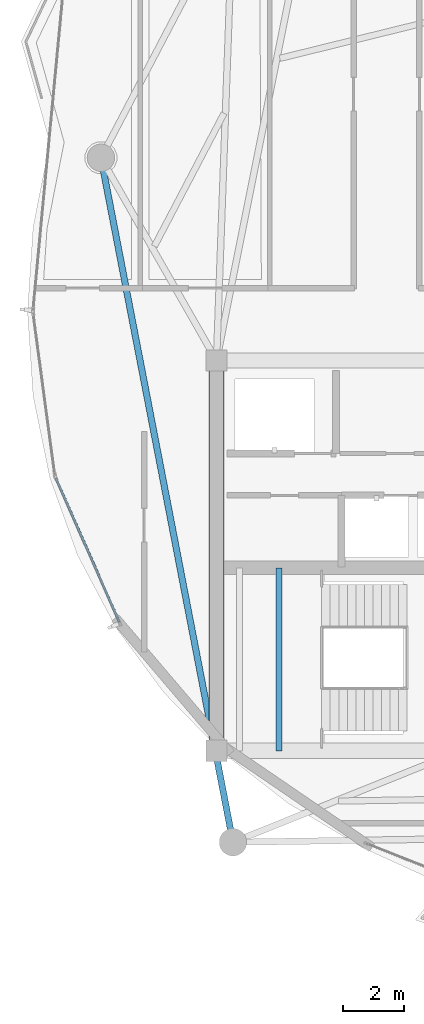
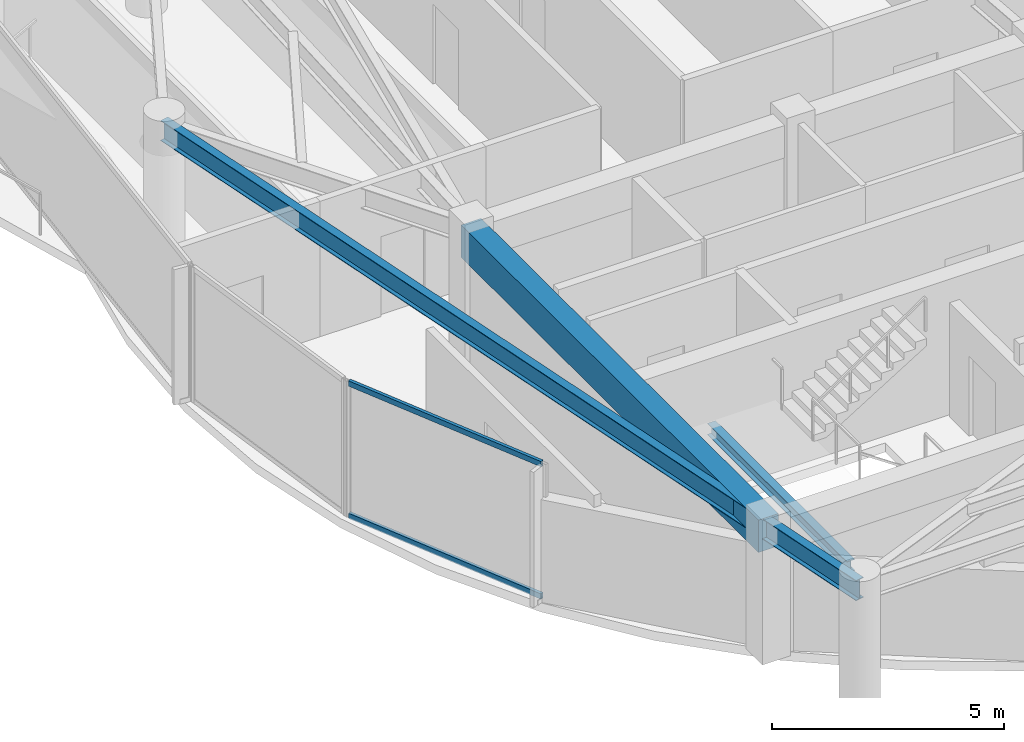
# One storey, part 3 of 22: 3 beams, 2 members, 1 element without a shape of its own.
"""IFC4 building model written with IfcOpenShell, lengths in metres."""

from ifc_helpers import new_model, si_unit, direction, frame, origin, origin_2d, place, context, subcontext, project, spatial, rectangle, hollow_rectangle, i_section, extrude, material, layer, layer_set, material_profile, profile_set, type_object, element, aggregate, save


model = new_model("IFC4")

# Units and contexts
model_context = context("Model", 3, precision=1e-05, world=origin(), true_north=direction((0.0, 1.0)))
body_context = subcontext(model_context, "Body", "Model", "MODEL_VIEW")
ifc_project = project(units=[si_unit("LENGTHUNIT", "METRE"), si_unit("AREAUNIT", "SQUARE_METRE"), si_unit("VOLUMEUNIT", "CUBIC_METRE"), si_unit("PLANEANGLEUNIT", "RADIAN"), si_unit("MASSUNIT", "GRAM", prefix="KILO")], contexts=[model_context])

# Site, building, storey
site_placement = place(None, origin())
site = spatial("IfcSite", under=ifc_project, at=site_placement, CompositionType="ELEMENT")
building_placement = place(site_placement, origin())
building = spatial("IfcBuilding", under=site, at=building_placement, Name="Kazevale Care Tower and Concert Hall", CompositionType="ELEMENT")
storey_placement = place(building_placement, frame((0.0, 0.0, 273.800048828125)))
storey = spatial("IfcBuildingStorey", under=building, at=storey_placement, Name="L72", CompositionType="ELEMENT", Elevation=273.800048828125)

# Curtain wall, members
ifc_material_1 = material(Name="Aluminium 6063-T6 and Low-E Glass", Category="aluminium")
ifc_layer = layer(ifc_material_1, 0.179931640625)
ifc_layer_set = layer_set([ifc_layer], Name="Aluminium 6063-T6 and Low-E Glass")
curtain_wall_type = type_object("IfcCurtainWallType", Name="Waist & Upper Residential Curtain Wall CW-4", PredefinedType="NOTDEFINED", material=ifc_layer_set)
curtain_wall_placement = place(storey_placement, origin())
curtain_wall = element("IfcCurtainWall", 1, at=curtain_wall_placement, inside=storey, type_object=curtain_wall_type, Name="cw:L72:f07", PredefinedType="NOTDEFINED")
ifc_material_2 = material(Name="Aluminium 6063-T6", Category="aluminium")
ifc_material_profile_1 = material_profile(ifc_material_2, hollow_rectangle(XDim=0.080078125, YDim=0.139892578125, WallThickness=0.00390625, at=origin_2d()), Name="ALU80x140x4")
ifc_profile_set_1 = profile_set([ifc_material_profile_1], Name="Aluminium 6063-T6")
member_type = type_object("IfcMemberType", Name="CW-4 Transom ALU80x140x4", PredefinedType="USERDEFINED", material=ifc_profile_set_1)
member_1_placement = place(storey_placement, frame((18.812744140625, 27.82421875, 0.0400390625), z_axis=(-0.403602784518, 0.91493431039, 0.0), x_axis=(-0.91493431039, -0.403602784518, 0.0)))
member_1 = element("IfcMember", 2, at=member_1_placement, type_object=member_type, Name="CW-4 transom 1.1", ObjectType="TRANSOM", PredefinedType="USERDEFINED", context=body_context, shape_type="SweptSolid", body=[
    extrude(hollow_rectangle(XDim=0.080078125, YDim=0.139892578125, WallThickness=0.00390625, at=origin_2d()), origin(), (0.0, 0.0, 1.0), 5.139892578125),
])
member_2_placement = place(storey_placement, frame((18.812744140625, 27.82421875, 3.52001953125), z_axis=(-0.403602784518, 0.91493431039, 0.0), x_axis=(-0.91493431039, -0.403602784518, 0.0)))
member_2 = element("IfcMember", 3, at=member_2_placement, type_object=member_type, Name="CW-4 transom 1.2", ObjectType="TRANSOM", PredefinedType="USERDEFINED", context=body_context, shape_type="SweptSolid", body=[
    extrude(hollow_rectangle(XDim=0.080078125, YDim=0.139892578125, WallThickness=0.00390625, at=origin_2d()), origin(), (0.0, 0.0, 1.0), 5.139892578125),
])
aggregate(curtain_wall, [member_1, member_2])

# Beams
ifc_material_3 = material(Name="Concrete C60", Category="concrete")
ifc_material_profile_2 = material_profile(ifc_material_3, rectangle(XDim=0.5, YDim=0.85009765625, at=origin_2d()), Name="RC-B500x850")
ifc_profile_set_2 = profile_set([ifc_material_profile_2], Name="Concrete C60")
beam_type_1 = type_object("IfcBeamType", Name="Core Coupling Beam RC500x850", PredefinedType="LINTEL", material=ifc_profile_set_2)
beam_1_placement = place(storey_placement, frame((22.0, 36.39990234375, 3.135009765625), z_axis=(0.0, -1.0, 0.0), x_axis=(1.0, 0.0, 0.0)))
element("IfcBeam", 4, at=beam_1_placement, inside=storey, type_object=beam_type_1, Name="beam:L72:coretie:8", PredefinedType="LINTEL", context=body_context, shape_type="SweptSolid", body=[
    extrude(rectangle(XDim=0.5, YDim=0.85009765625, at=origin_2d()), origin(), (0.0, 0.0, 1.0), 12.7998046875),
])
ifc_material_4 = material(Name="Steel ASTM A572 Gr 50", Category="steel")
ifc_material_profile_3 = material_profile(ifc_material_4, i_section(OverallWidth=0.202880859375, OverallDepth=0.302978515625, WebThickness=0.007568359375, FlangeThickness=0.01318359375, at=origin_2d()), Name="W310x60")
ifc_profile_set_3 = profile_set([ifc_material_profile_3], Name="Steel ASTM A572 Gr 50")
beam_type_2 = type_object("IfcBeamType", Name="Stair & Balcony Trimmer W310x60", PredefinedType="BEAM", material=ifc_profile_set_3)
beam_2_placement = place(storey_placement, frame((24.050048828125, 23.60009765625, 1.54833984375), z_axis=(0.0, 1.0, 0.0), x_axis=(-1.0, 0.0, 0.0)))
element("IfcBeam", 5, at=beam_2_placement, inside=storey, type_object=beam_type_2, Name="beam:L72:sttrim:ST1b", PredefinedType="BEAM", context=body_context, shape_type="SweptSolid", body=[
    extrude(i_section(OverallWidth=0.202880859375, OverallDepth=0.302978515625, WebThickness=0.007568359375, FlangeThickness=0.01318359375, at=origin_2d()), origin(), (0.0, 0.0, 1.0), 6.0),
])
ifc_material_profile_4 = material_profile(ifc_material_4, i_section(OverallWidth=0.208984375, OverallDepth=0.532958984375, WebThickness=0.01025390625, FlangeThickness=0.015625, at=origin_2d()), Name="W530x92")
ifc_profile_set_4 = profile_set([ifc_material_profile_4], Name="Steel ASTM A572 Gr 50")
beam_type_3 = type_object("IfcBeamType", Name="Upper Ring Beam W530x92", PredefinedType="BEAM", material=ifc_profile_set_4)
beam_3_placement = place(storey_placement, frame((18.2099609375, 43.050048828125, 3.29345703125), z_axis=(0.189386387255, -0.981902640959, 0.0), x_axis=(0.981902640959, 0.189386387255, 0.0)))
element("IfcBeam", 6, at=beam_3_placement, inside=storey, type_object=beam_type_3, Name="beam:L72:ring:09", PredefinedType="BEAM", context=body_context, shape_type="SweptSolid", body=[
    extrude(i_section(OverallWidth=0.208984375, OverallDepth=0.532958984375, WebThickness=0.01025390625, FlangeThickness=0.015625, at=origin_2d()), origin(), (0.0, 0.0, 1.0), 22.86376953125),
])

save(model, "model.ifc")
